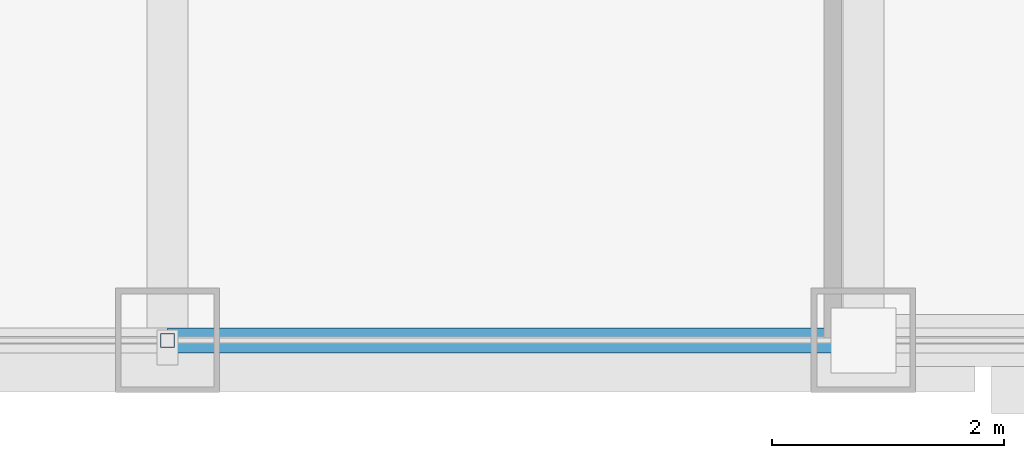
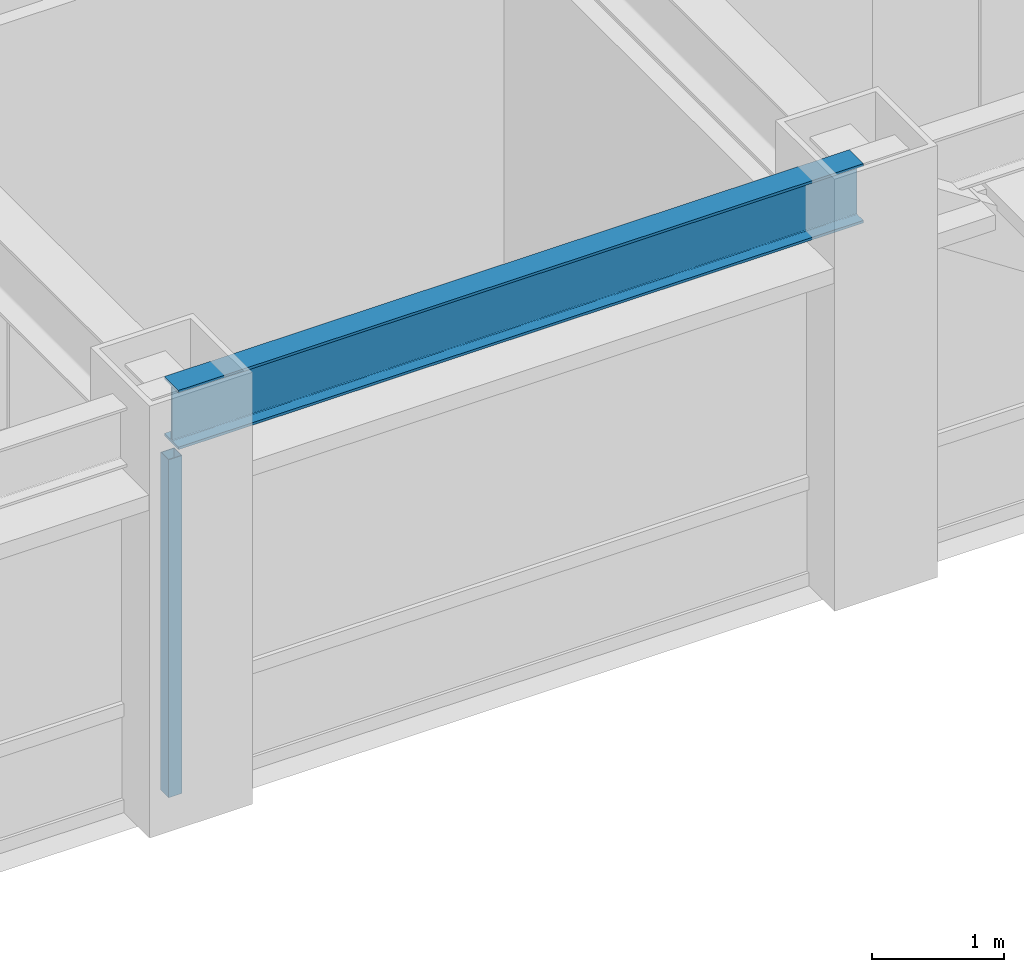
# One storey, part 4 of 27: 1 beam, 1 member, 1 element without a shape of its own.
"""IFC4 building model written with IfcOpenShell, lengths in metres."""

from ifc_helpers import new_model, si_unit, direction, frame, origin, origin_2d, place, context, subcontext, project, spatial, hollow_rectangle, i_section, extrude, source, transform, mapped, material, material_profile, profile_set, type_object, element, aggregate, save


model = new_model("IFC4")

# Units and contexts
model_context = context("Model", 3, precision=1e-05, world=origin(), true_north=direction((0.0, 1.0)))
body_context = subcontext(model_context, "Body", "Model", "MODEL_VIEW")
ifc_project = project(units=[si_unit("LENGTHUNIT", "METRE"), si_unit("AREAUNIT", "SQUARE_METRE"), si_unit("VOLUMEUNIT", "CUBIC_METRE"), si_unit("PLANEANGLEUNIT", "RADIAN"), si_unit("MASSUNIT", "GRAM", prefix="KILO")], contexts=[model_context])

# Site, building, storey
site_placement = place(None, origin())
site = spatial("IfcSite", under=ifc_project, at=site_placement, CompositionType="ELEMENT")
building_placement = place(site_placement, origin())
building = spatial("IfcBuilding", under=site, at=building_placement, Name="Khorayat Bourse Tower", CompositionType="ELEMENT")
storey_placement = place(building_placement, frame((0.0, 0.0, 285.5)))
storey = spatial("IfcBuildingStorey", under=building, at=storey_placement, Name="L67", CompositionType="ELEMENT", Elevation=285.5)

# Beam
ifc_material_1 = material(Name="Steel ASTM A992 Grade 50", Category="steel")
ifc_material_profile_1 = material_profile(ifc_material_1, i_section(OverallWidth=0.214111328125, OverallDepth=0.549072265625, WebThickness=0.0146484375, FlangeThickness=0.023681640625, FilletRadius=0.013916015625, at=origin_2d()), Name="W530X138")
ifc_profile_set_1 = profile_set([ifc_material_profile_1], Name="Steel ASTM A992 Grade 50")
beam_type = type_object("IfcBeamType", Name="BM-SPAN-530", PredefinedType="SPANDREL", material=ifc_profile_set_1)
shared_shape_1 = source(origin(), body_context, "Body", "SweptSolid", [
    extrude(i_section(OverallWidth=0.214111328125, OverallDepth=0.549072265625, WebThickness=0.0146484375, FlangeThickness=0.023681640625, FilletRadius=0.013916015625, at=origin_2d()), origin(), (0.0, 0.0, 1.0), 6.0),
])
beam_placement = place(storey_placement, frame((0.0, -28.0, 3.505615234375), z_axis=(1.0, 0.0, 0.0), x_axis=(0.0, 1.0, 0.0)))
element("IfcBeam", 1, at=beam_placement, inside=storey, type_object=beam_type, Name="L67 BM-SPAN-530 BM-L67-SPN-028", PredefinedType="SPANDREL", context=body_context, shape_type="MappedRepresentation", body=[
    mapped(shared_shape_1, transform((0.0, 0.0, 0.0), scale=1.0)),
])

# Curtain wall, member
ifc_material_2 = material(Name="Aluminium EN AW-6063 T6", Category="aluminium")
curtain_wall_type = type_object("IfcCurtainWallType", Name="CW-SYS-04", PredefinedType="NOTDEFINED", material=ifc_material_2)
curtain_wall_placement = place(storey_placement, origin())
curtain_wall = element("IfcCurtainWall", 2, at=curtain_wall_placement, inside=storey, type_object=curtain_wall_type, Name="L67 Curtain Wall CW-L67-S1", PredefinedType="NOTDEFINED")
ifc_material_profile_2 = material_profile(ifc_material_2, hollow_rectangle(XDim=0.1201171875, YDim=0.1201171875, WallThickness=0.0048828125, at=origin_2d()), Name="ALU 120x120x5")
ifc_profile_set_2 = profile_set([ifc_material_profile_2], Name="Aluminium EN AW-6063 T6")
member_type = type_object("IfcMemberType", Name="CWM-VERT-120", PredefinedType="MULLION", material=ifc_profile_set_2)
shared_shape_2 = source(origin(), body_context, "Body", "SweptSolid", [
    extrude(hollow_rectangle(XDim=0.1201171875, YDim=0.1201171875, WallThickness=0.0048828125, at=origin_2d()), origin(), (0.0, 0.0, 1.0), 3.1298828125),
])
member_placement = place(storey_placement, frame((0.0, -28.0, 0.0), z_axis=(0.0, 0.0, 1.0), x_axis=(0.0, 1.0, 0.0)))
member = element("IfcMember", 3, at=member_placement, type_object=member_type, Name="CW-L67-S1 Vertical Mullion 2", PredefinedType="MULLION", context=body_context, shape_type="MappedRepresentation", body=[
    mapped(shared_shape_2, transform((0.0, 0.0, 0.0), scale=1.0)),
])
aggregate(curtain_wall, [member])

save(model, "model.ifc")
